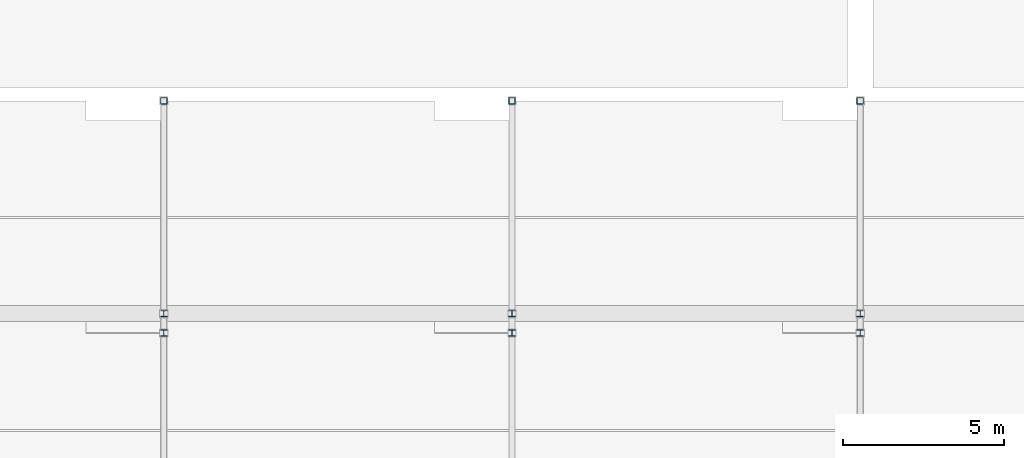
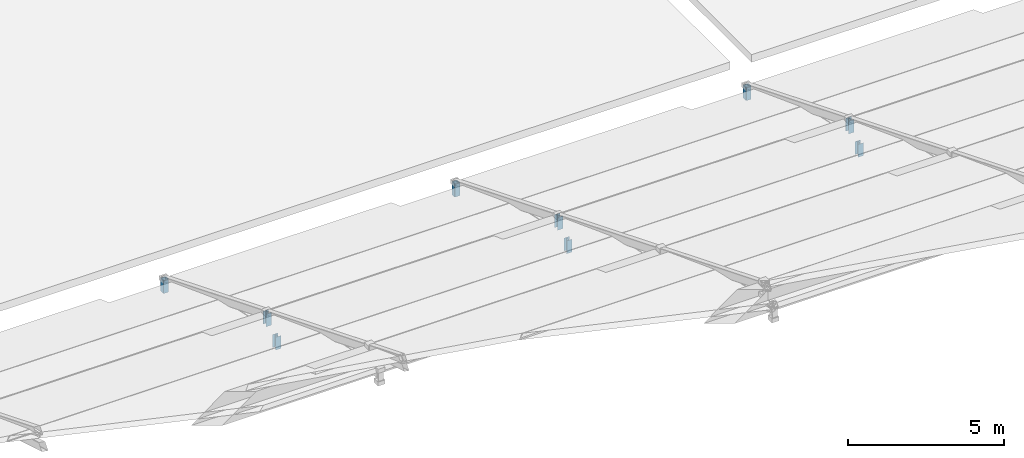
# One storey, part 82 of 112: 9 members.
"""IFC4 building model written with IfcOpenShell, lengths in metres."""

from ifc_helpers import new_model, si_unit, direction, frame, origin, origin_2d, place, context, subcontext, project, spatial, hollow_rectangle, i_section, extrude, material, material_profile, profile_set, type_object, element, save


model = new_model("IFC4")

# Units and contexts
model_context = context("Model", 3, precision=1e-05, world=origin(), true_north=direction((0.0, 1.0)))
body_context = subcontext(model_context, "Body", "Model", "MODEL_VIEW")
ifc_project = project(units=[si_unit("LENGTHUNIT", "METRE"), si_unit("AREAUNIT", "SQUARE_METRE"), si_unit("VOLUMEUNIT", "CUBIC_METRE"), si_unit("PLANEANGLEUNIT", "RADIAN"), si_unit("MASSUNIT", "GRAM", prefix="KILO")], contexts=[model_context])

# Site, building, storey
site_placement = place(None, origin())
site = spatial("IfcSite", under=ifc_project, at=site_placement, CompositionType="ELEMENT")
building_placement = place(site_placement, origin())
building = spatial("IfcBuilding", under=site, at=building_placement, Name="Zwinboog Wholesale Market", CompositionType="ELEMENT")
storey_placement = place(building_placement, frame((0.0, 0.0, 19.080078125)))
storey = spatial("IfcBuildingStorey", under=building, at=storey_placement, Name="Roof", CompositionType="ELEMENT", Elevation=19.080078125)

# Members
ifc_material = material(Name="Steel S355", Category="steel")
ifc_material_profile_1 = material_profile(ifc_material, hollow_rectangle(XDim=0.199951171875, YDim=0.199951171875, WallThickness=0.010009765625, InnerFilletRadius=0.010009765625, OuterFilletRadius=0.02001953125, at=origin_2d()), Name="SHS 200x200x10")
ifc_profile_set_1 = profile_set([ifc_material_profile_1], Name="Steel S355")
member_type_1 = type_object("IfcMemberType", Name="MT-04", PredefinedType="BRACE", material=ifc_profile_set_1)
for number, where, z_axis, x_axis, name in (
    (1, (97.199951171875, 108.0, -10.030029296875), (0.0, 0.0, 1.0), (1.0, 0.0, 0.0), "DB-01 (MEM-Roof-0105)"),
    (2, (108.0, 108.0, -10.030029296875), (0.0, 0.0, 1.0), (1.0, 0.0, 0.0), "DB-01 (MEM-Roof-0135)"),
    (3, (118.800048828125, 108.0, -10.030029296875), (0.0, 0.0, 1.0), (1.0, 0.0, 0.0), "DB-01 (MEM-Roof-0165)"),
):
    element("IfcMember", number, at=place(storey_placement, frame(where, z_axis=z_axis, x_axis=x_axis)), inside=storey, type_object=member_type_1, Name=name, PredefinedType="BRACE", context=body_context, shape_type="SweptSolid", body=[
        extrude(hollow_rectangle(XDim=0.199951171875, YDim=0.199951171875, WallThickness=0.010009765625, InnerFilletRadius=0.010009765625, OuterFilletRadius=0.02001953125, at=origin_2d()), origin(), (0.0, 0.0, 1.0), 0.5),
    ])
ifc_material_profile_2 = material_profile(ifc_material, i_section(OverallWidth=0.199951171875, OverallDepth=0.18994140625, WebThickness=0.006591796875, FlangeThickness=0.010009765625, FilletRadius=0.01806640625, at=origin_2d()), Name="HEA 200")
ifc_profile_set_2 = profile_set([ifc_material_profile_2], Name="Steel S355")
member_type_2 = type_object("IfcMemberType", Name="MT-05", PredefinedType="BRACE", material=ifc_profile_set_2)
for number, where, z_axis, x_axis, name in (
    (4, (97.199951171875, 100.800048828125, -7.880126953125), (0.0, 0.0, 1.0), (1.0, 0.0, 0.0), "DB-02 (MEM-Roof-0106)"),
    (5, (97.199951171875, 101.39990234375, -7.330078125), (0.0, 0.0, 1.0), (1.0, 0.0, 0.0), "DB-02 (MEM-Roof-0108)"),
    (6, (108.0, 100.800048828125, -7.880126953125), (0.0, 0.0, 1.0), (1.0, 0.0, 0.0), "DB-02 (MEM-Roof-0136)"),
    (7, (108.0, 101.39990234375, -7.330078125), (0.0, 0.0, 1.0), (1.0, 0.0, 0.0), "DB-02 (MEM-Roof-0138)"),
    (8, (118.800048828125, 100.800048828125, -7.880126953125), (0.0, 0.0, 1.0), (1.0, 0.0, 0.0), "DB-02 (MEM-Roof-0166)"),
    (9, (118.800048828125, 101.39990234375, -7.330078125), (0.0, 0.0, 1.0), (1.0, 0.0, 0.0), "DB-02 (MEM-Roof-0168)"),
):
    element("IfcMember", number, at=place(storey_placement, frame(where, z_axis=z_axis, x_axis=x_axis)), inside=storey, type_object=member_type_2, Name=name, PredefinedType="BRACE", context=body_context, shape_type="SweptSolid", body=[
        extrude(i_section(OverallWidth=0.199951171875, OverallDepth=0.18994140625, WebThickness=0.006591796875, FlangeThickness=0.010009765625, FilletRadius=0.01806640625, at=origin_2d()), origin(), (0.0, 0.0, 1.0), 0.5),
    ])

save(model, "model.ifc")
